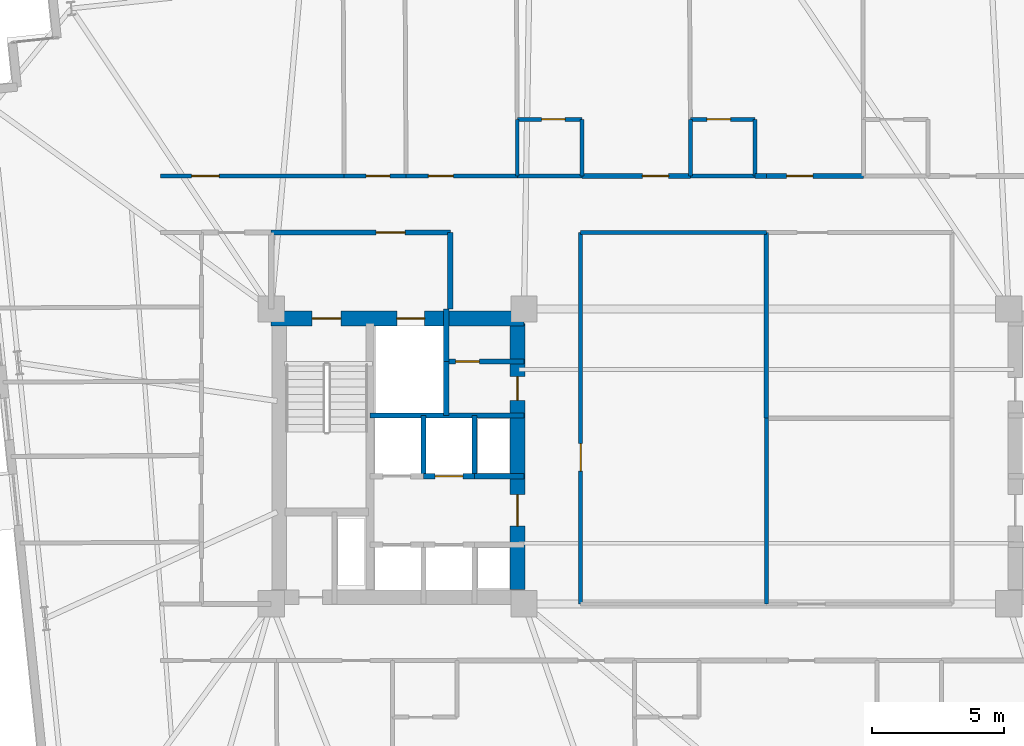
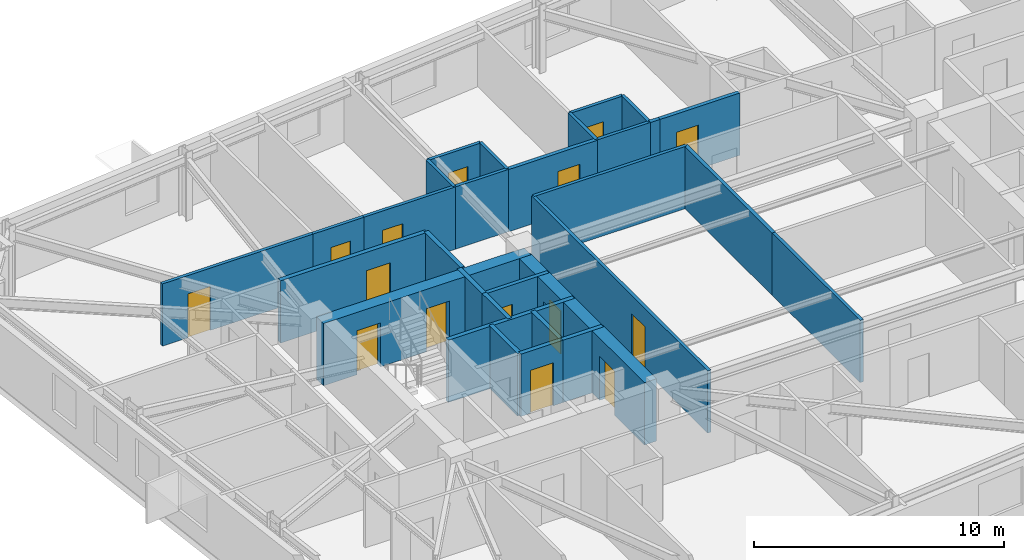
# One storey, part 13 of 19: 30 walls, 15 doors, 15 openings.
"""IFC4 building model written with IfcOpenShell, lengths in metres."""

from ifc_helpers import new_model, si_unit, direction, frame, frame_2d, origin, place, context, subcontext, project, spatial, rectangle, extrude, material, layer, layer_set, type_object, element, fill, save


model = new_model("IFC4")

# Units and contexts
model_context = context("Model", 3, precision=1e-05, world=origin(), true_north=direction((0.0, 1.0)))
body_context = subcontext(model_context, "Body", "Model", "MODEL_VIEW")
ifc_project = project(units=[si_unit("LENGTHUNIT", "METRE"), si_unit("AREAUNIT", "SQUARE_METRE"), si_unit("VOLUMEUNIT", "CUBIC_METRE"), si_unit("PLANEANGLEUNIT", "RADIAN"), si_unit("MASSUNIT", "GRAM", prefix="KILO")], contexts=[model_context])

# Site, building, storey
site_placement = place(None, origin())
site = spatial("IfcSite", under=ifc_project, at=site_placement, CompositionType="ELEMENT")
building_placement = place(site_placement, origin())
building = spatial("IfcBuilding", under=site, at=building_placement, Name="Qobustan Lattice House", CompositionType="ELEMENT")
storey_placement = place(building_placement, frame((0.0, 0.0, 85.699951171875)))
storey = spatial("IfcBuildingStorey", under=building, at=storey_placement, Name="L23", CompositionType="ELEMENT", Elevation=85.699951171875)

# Wall, openings, doors
ifc_material_1 = material(Name="Concrete C60/75", Category="concrete")
ifc_layer_1 = layer(ifc_material_1, 0.56005859375)
ifc_layer_set_1 = layer_set([ifc_layer_1], Name="Concrete C60/75")
wall_type_1 = type_object("IfcWallType", Name="WAL-CORE-600", PredefinedType="SHEAR", material=ifc_layer_set_1)
wall_1_placement = place(storey_placement, frame((-18.800048828125, 5.239990234375, 0.0), z_axis=(0.0, 0.0, 1.0), x_axis=(1.0, 0.0, 0.0)))
wall_1 = element("IfcWall", 1, at=wall_1_placement, inside=storey, type_object=wall_type_1, Name="L23 split-core shear wall CW-N", PredefinedType="SHEAR", context=body_context, shape_type="SweptSolid", body=[
    extrude(rectangle(XDim=9.60009765625, YDim=0.56005859375, at=frame_2d((4.800048828125, 0.0))), origin(), (0.0, 0.0, 1.0), 3.045166015625),
])
opening_1_placement = place(wall_1_placement, frame((1.550048828125, 0.0, 0.0)))
opening_1 = element("IfcOpeningElement", 2, at=opening_1_placement, cuts=wall_1, Name="Opening SD-01", PredefinedType="OPENING", context=body_context, shape_type="SweptSolid", body=[
    extrude(rectangle(XDim=1.10009765625, YDim=2.14990234375, at=frame_2d((0.550048828125, 1.074951171875))), frame((0.0, 0.2900390625, 0.0), z_axis=(0.0, -1.0, 0.0), x_axis=(1.0, 0.0, 0.0)), (0.0, 0.0, 1.0), 0.580078125),
])
opening_2_placement = place(wall_1_placement, frame((4.77490234375, 0.0, 0.0)))
opening_2 = element("IfcOpeningElement", 3, at=opening_2_placement, cuts=wall_1, Name="Opening LD-01", PredefinedType="OPENING", context=body_context, shape_type="SweptSolid", body=[
    extrude(rectangle(XDim=1.050048828125, YDim=2.10009765625, at=frame_2d((0.52490234375, 1.050048828125))), frame((0.0, 0.2900390625, 0.0), z_axis=(0.0, -1.0, 0.0), x_axis=(1.0, 0.0, 0.0)), (0.0, 0.0, 1.0), 0.580078125),
])
ifc_material_2 = material(Name="Persian walnut timber and steel frame door", Category="steel")
door_type_1 = type_object("IfcDoorType", Name="DOR-LIFT-LD-1050x2100", OperationType="NOTDEFINED", PredefinedType="DOOR", material=ifc_material_2)
door_1_placement = place(opening_2_placement, origin())
door_1 = element("IfcDoor", 4, at=door_1_placement, inside=storey, type_object=door_type_1, Name="L23 firefighting lift FF-W landing door", OperationType="DOUBLE_DOOR_SLIDING", OverallHeight=2.10009765625, OverallWidth=1.050048828125, PredefinedType="DOOR", context=body_context, shape_type="SweptSolid", body=[
    extrude(rectangle(XDim=1.050048828125, YDim=2.10009765625, at=frame_2d((0.52490234375, 1.050048828125))), frame((0.0, 0.02490234375, 0.0), z_axis=(0.0, -1.0, 0.0), x_axis=(1.0, 0.0, 0.0)), (0.0, 0.0, 1.0), 0.050048828125),
])
fill(opening_2, door_1)
ifc_material_3 = material(Name="Persian walnut timber and steel frame door", Category="steel")
door_type_2 = type_object("IfcDoorType", Name="DOR-STAIR-FD-1100x2150", OperationType="NOTDEFINED", PredefinedType="DOOR", material=ifc_material_3)
door_2_placement = place(opening_1_placement, origin())
door_2 = element("IfcDoor", 5, at=door_2_placement, inside=storey, type_object=door_type_2, Name="L23 exit stair ST-W1 fire door", OperationType="SINGLE_SWING_LEFT", OverallHeight=2.14990234375, OverallWidth=1.10009765625, PredefinedType="DOOR", context=body_context, shape_type="SweptSolid", body=[
    extrude(rectangle(XDim=1.10009765625, YDim=2.14990234375, at=frame_2d((0.550048828125, 1.074951171875))), frame((0.0, 0.02490234375, 0.0), z_axis=(0.0, -1.0, 0.0), x_axis=(1.0, 0.0, 0.0)), (0.0, 0.0, 1.0), 0.050048828125),
])
fill(opening_1, door_2)

wall_2_placement = place(storey_placement, frame((-9.449951171875, -5.050048828125, 0.0), z_axis=(0.0, 0.0, 1.0), x_axis=(0.0, 1.0, 0.0)))
wall_2 = element("IfcWall", 6, at=wall_2_placement, inside=storey, type_object=wall_type_1, Name="L23 split-core shear wall CW-E", PredefinedType="SHEAR", context=body_context, shape_type="SweptSolid", body=[
    extrude(rectangle(XDim=10.10009765625, YDim=0.56005859375, at=frame_2d((5.050048828125, 0.0))), origin(), (0.0, 0.0, 1.0), 3.045166015625),
])
opening_3_placement = place(wall_2_placement, frame((7.175048828125, 0.0, 0.0)))
opening_3 = element("IfcOpeningElement", 7, at=opening_3_placement, cuts=wall_2, Name="Opening RD-01", PredefinedType="OPENING", context=body_context, shape_type="SweptSolid", body=[
    extrude(rectangle(XDim=0.89990234375, YDim=2.10009765625, at=frame_2d((0.449951171875, 1.050048828125))), frame((0.0, 0.2900390625, 0.0), z_axis=(0.0, -1.0, 0.0), x_axis=(1.0, 0.0, 0.0)), (0.0, 0.0, 1.0), 0.580078125),
])
opening_4_placement = place(wall_2_placement, frame((2.39990234375, 0.0, 0.0)))
opening_4 = element("IfcOpeningElement", 8, at=opening_4_placement, cuts=wall_2, Name="Opening FD-01", PredefinedType="OPENING", context=body_context, shape_type="SweptSolid", body=[
    extrude(rectangle(XDim=1.199951171875, YDim=2.14990234375, at=frame_2d((0.60009765625, 1.074951171875))), frame((0.0, 0.2900390625, 0.0), z_axis=(0.0, -1.0, 0.0), x_axis=(1.0, 0.0, 0.0)), (0.0, 0.0, 1.0), 0.580078125),
])
ifc_material_4 = material(Name="Persian walnut timber and steel frame door", Category="steel")
door_type_3 = type_object("IfcDoorType", Name="DOR-LOBBY-FD-1200x2150", OperationType="NOTDEFINED", PredefinedType="DOOR", material=ifc_material_4)
door_3_placement = place(opening_4_placement, origin())
door_3 = element("IfcDoor", 9, at=door_3_placement, inside=storey, type_object=door_type_3, Name="L23 West passenger lift lobby fire door", OperationType="SINGLE_SWING_RIGHT", OverallHeight=2.14990234375, OverallWidth=1.199951171875, PredefinedType="DOOR", context=body_context, shape_type="SweptSolid", body=[
    extrude(rectangle(XDim=1.199951171875, YDim=2.14990234375, at=frame_2d((0.60009765625, 1.074951171875))), frame((0.0, 0.02490234375, 0.0), z_axis=(0.0, -1.0, 0.0), x_axis=(1.0, 0.0, 0.0)), (0.0, 0.0, 1.0), 0.050048828125),
])
fill(opening_4, door_3)
ifc_material_5 = material(Name="Persian walnut timber and steel frame door", Category="steel")
door_type_4 = type_object("IfcDoorType", Name="DOR-RISER-FD-900x2100", OperationType="NOTDEFINED", PredefinedType="DOOR", material=ifc_material_5)
door_4_placement = place(opening_3_placement, origin())
door_4 = element("IfcDoor", 10, at=door_4_placement, inside=storey, type_object=door_type_4, Name="L23 Core utility lobby fire door", OperationType="SINGLE_SWING_LEFT", OverallHeight=2.10009765625, OverallWidth=0.89990234375, PredefinedType="DOOR", context=body_context, shape_type="SweptSolid", body=[
    extrude(rectangle(XDim=0.89990234375, YDim=2.10009765625, at=frame_2d((0.449951171875, 1.050048828125))), frame((0.0, 0.02490234375, 0.0), z_axis=(0.0, -1.0, 0.0), x_axis=(1.0, 0.0, 0.0)), (0.0, 0.0, 1.0), 0.050048828125),
])
fill(opening_3, door_4)

# Wall, opening, door
ifc_material_6 = material(Name="Gypsum fireboard acoustic partition", Category="gypsum")
ifc_layer_2 = layer(ifc_material_6, 0.179931640625)
ifc_layer_set_2 = layer_set([ifc_layer_2], Name="Gypsum fireboard acoustic partition")
wall_type_2 = type_object("IfcWallType", Name="WAL-FIRE-180", PredefinedType="PARTITIONING", material=ifc_layer_set_2)
wall_3_placement = place(storey_placement, frame((-9.199951171875, 3.60009765625, 0.0), z_axis=(0.0, 0.0, 1.0), x_axis=(-1.0, 0.0, 0.0)))
wall_3 = element("IfcWall", 11, at=wall_3_placement, inside=storey, type_object=wall_type_2, Name="L23 interior partition 7", PredefinedType="PARTITIONING", context=body_context, shape_type="SweptSolid", body=[
    extrude(rectangle(XDim=2.949951171875, YDim=0.179931640625, at=frame_2d((1.47509765625, 0.0))), origin(), (0.0, 0.0, 1.0), 3.045166015625),
])
opening_5_placement = place(wall_3_placement, frame((1.699951171875, 0.0, 0.0)))
opening_5 = element("IfcOpeningElement", 12, at=opening_5_placement, cuts=wall_3, Name="Opening RD-01", PredefinedType="OPENING", context=body_context, shape_type="SweptSolid", body=[
    extrude(rectangle(XDim=0.89990234375, YDim=2.10009765625, at=frame_2d((0.449951171875, 1.050048828125))), frame((0.0, 0.099853515625, 0.0), z_axis=(0.0, -1.0, 0.0), x_axis=(1.0, 0.0, 0.0)), (0.0, 0.0, 1.0), 0.199951171875),
])
door_5_placement = place(opening_5_placement, origin())
door_5 = element("IfcDoor", 13, at=door_5_placement, inside=storey, type_object=door_type_4, Name="L23 Core utility lobby to Cleaner store door", OperationType="SINGLE_SWING_RIGHT", OverallHeight=2.10009765625, OverallWidth=0.89990234375, PredefinedType="DOOR", context=body_context, shape_type="SweptSolid", body=[
    extrude(rectangle(XDim=0.89990234375, YDim=2.10009765625, at=frame_2d((0.449951171875, 1.050048828125))), frame((0.0, 0.02490234375, 0.0), z_axis=(0.0, -1.0, 0.0), x_axis=(1.0, 0.0, 0.0)), (0.0, 0.0, 1.0), 0.050048828125),
])
fill(opening_5, door_5)

wall_4_placement = place(storey_placement, frame((-7.007080078125, 10.64990234375, 0.0), z_axis=(0.0, 0.0, 1.0), x_axis=(1.0, 0.0, 0.0)))
wall_4 = element("IfcWall", 14, at=wall_4_placement, inside=storey, type_object=wall_type_2, Name="L23 interior partition 42", PredefinedType="PARTITIONING", context=body_context, shape_type="SweptSolid", body=[
    extrude(rectangle(XDim=4.12109375, YDim=0.179931640625, at=frame_2d((2.060546875, 0.0))), origin(), (0.0, 0.0, 1.0), 3.045166015625),
])
opening_6_placement = place(wall_4_placement, frame((2.2958984375, 0.0, 0.0)))
opening_6 = element("IfcOpeningElement", 15, at=opening_6_placement, cuts=wall_4, Name="Opening FD-02", PredefinedType="OPENING", context=body_context, shape_type="SweptSolid", body=[
    extrude(rectangle(XDim=1.0, YDim=2.14990234375, at=frame_2d((0.5, 1.074951171875))), frame((0.0, 0.099853515625, 0.0), z_axis=(0.0, -1.0, 0.0), x_axis=(1.0, 0.0, 0.0)), (0.0, 0.0, 1.0), 0.199951171875),
])
ifc_material_7 = material(Name="Persian walnut timber and steel frame door", Category="steel")
door_type_5 = type_object("IfcDoorType", Name="DOR-UNIT-FD-1000x2150", OperationType="NOTDEFINED", PredefinedType="DOOR", material=ifc_material_7)
door_6_placement = place(opening_6_placement, origin())
door_6 = element("IfcDoor", 16, at=door_6_placement, inside=storey, type_object=door_type_5, Name="L23 North-west floor corridor to Kitchenette and studio apartment L23-N3 door", OperationType="SINGLE_SWING_RIGHT", OverallHeight=2.14990234375, OverallWidth=1.0, PredefinedType="DOOR", context=body_context, shape_type="SweptSolid", body=[
    extrude(rectangle(XDim=1.0, YDim=2.14990234375, at=frame_2d((0.5, 1.074951171875))), frame((0.0, 0.02490234375, 0.0), z_axis=(0.0, -1.0, 0.0), x_axis=(1.0, 0.0, 0.0)), (0.0, 0.0, 1.0), 0.050048828125),
])
fill(opening_6, door_6)

# Wall
wall_5_placement = place(storey_placement, frame((-0.43603515625, 10.64990234375, 0.0), z_axis=(0.0, 0.0, 1.0), x_axis=(1.0, 0.0, 0.0)))
element("IfcWall", 17, at=wall_5_placement, inside=storey, type_object=wall_type_2, Name="L23 interior partition 44", PredefinedType="PARTITIONING", context=body_context, shape_type="SweptSolid", body=[
    extrude(rectangle(XDim=0.43603515625, YDim=0.179931640625, at=frame_2d((0.218017578125, 0.0))), origin(), (0.0, 0.0, 1.0), 3.045166015625),
])

# Wall, opening, door
wall_6_placement = place(storey_placement, frame((0.0, 10.64990234375, 0.0), z_axis=(0.0, 0.0, 1.0), x_axis=(1.0, 0.0, 0.0)))
wall_6 = element("IfcWall", 18, at=wall_6_placement, inside=storey, type_object=wall_type_2, Name="L23 interior partition 49", PredefinedType="PARTITIONING", context=body_context, shape_type="SweptSolid", body=[
    extrude(rectangle(XDim=3.68603515625, YDim=0.179931640625, at=frame_2d((1.843017578125, 0.0))), origin(), (0.0, 0.0, 1.0), 3.045166015625),
])
opening_7_placement = place(wall_6_placement, frame((0.770751953125, 0.0, 0.0)))
opening_7 = element("IfcOpeningElement", 19, at=opening_7_placement, cuts=wall_6, Name="Opening FD-02", PredefinedType="OPENING", context=body_context, shape_type="SweptSolid", body=[
    extrude(rectangle(XDim=1.0, YDim=2.14990234375, at=frame_2d((0.5, 1.074951171875))), frame((0.0, 0.099853515625, 0.0), z_axis=(0.0, -1.0, 0.0), x_axis=(1.0, 0.0, 0.0)), (0.0, 0.0, 1.0), 0.199951171875),
])
door_7_placement = place(opening_7_placement, origin())
door_7 = element("IfcDoor", 20, at=door_7_placement, inside=storey, type_object=door_type_5, Name="L23 North-east floor corridor to Kitchenette and studio apartment L23-N4 door", OperationType="SINGLE_SWING_RIGHT", OverallHeight=2.14990234375, OverallWidth=1.0, PredefinedType="DOOR", context=body_context, shape_type="SweptSolid", body=[
    extrude(rectangle(XDim=1.0, YDim=2.14990234375, at=frame_2d((0.5, 1.074951171875))), frame((0.0, 0.02490234375, 0.0), z_axis=(0.0, -1.0, 0.0), x_axis=(1.0, 0.0, 0.0)), (0.0, 0.0, 1.0), 0.050048828125),
])
fill(opening_7, door_7)

ifc_material_8 = material(Name="Acoustic twin-stud gypsum partition", Category="gypsum")
ifc_layer_3 = layer(ifc_material_8, 0.14990234375)
ifc_layer_set_3 = layer_set([ifc_layer_3], Name="Acoustic twin-stud gypsum partition")
wall_type_3 = type_object("IfcWallType", Name="WAL-PART-150", PredefinedType="PARTITIONING", material=ifc_layer_set_3)
wall_7_placement = place(storey_placement, frame((-23.0, 10.64990234375, 0.0), z_axis=(0.0, 0.0, 1.0), x_axis=(1.0, 0.0, 0.0)))
wall_7 = element("IfcWall", 21, at=wall_7_placement, inside=storey, type_object=wall_type_3, Name="L23 interior partition 39", PredefinedType="PARTITIONING", context=body_context, shape_type="SweptSolid", body=[
    extrude(rectangle(XDim=6.970947265625, YDim=0.14990234375, at=frame_2d((3.4853515625, 0.0))), origin(), (0.0, 0.0, 1.0), 3.045166015625),
])
opening_8_placement = place(wall_7_placement, frame((1.175048828125, 0.0, 0.0)))
opening_8 = element("IfcOpeningElement", 22, at=opening_8_placement, cuts=wall_7, Name="Opening ID-02", PredefinedType="OPENING", context=body_context, shape_type="SweptSolid", body=[
    extrude(rectangle(XDim=1.050048828125, YDim=2.14990234375, at=frame_2d((0.52490234375, 1.074951171875))), frame((0.0, 0.0849609375, 0.0), z_axis=(0.0, -1.0, 0.0), x_axis=(1.0, 0.0, 0.0)), (0.0, 0.0, 1.0), 0.169921875),
])
ifc_material_9 = material(Name="Persian walnut timber and steel frame door", Category="steel")
door_type_6 = type_object("IfcDoorType", Name="DOR-STUDY-1050x2150", OperationType="NOTDEFINED", PredefinedType="DOOR", material=ifc_material_9)
door_8_placement = place(opening_8_placement, origin())
door_8 = element("IfcDoor", 23, at=door_8_placement, inside=storey, type_object=door_type_6, Name="L23 North-west floor corridor to Focus study room N1 door", OperationType="SINGLE_SWING_LEFT", OverallHeight=2.14990234375, OverallWidth=1.050048828125, PredefinedType="DOOR", context=body_context, shape_type="SweptSolid", body=[
    extrude(rectangle(XDim=1.050048828125, YDim=2.14990234375, at=frame_2d((0.52490234375, 1.074951171875))), frame((0.0, 0.02490234375, 0.0), z_axis=(0.0, -1.0, 0.0), x_axis=(1.0, 0.0, 0.0)), (0.0, 0.0, 1.0), 0.050048828125),
])
fill(opening_8, door_8)

wall_8_placement = place(storey_placement, frame((-13.678955078125, 10.64990234375, 0.0), z_axis=(0.0, 0.0, 1.0), x_axis=(1.0, 0.0, 0.0)))
wall_8 = element("IfcWall", 24, at=wall_8_placement, inside=storey, type_object=wall_type_3, Name="L23 interior partition 41", PredefinedType="PARTITIONING", context=body_context, shape_type="SweptSolid", body=[
    extrude(rectangle(XDim=4.221923828125, YDim=0.14990234375, at=frame_2d((2.11083984375, 0.0))), origin(), (0.0, 0.0, 1.0), 3.045166015625),
])
opening_9_placement = place(wall_8_placement, frame((0.843994140625, 0.0, 0.0)))
opening_9 = element("IfcOpeningElement", 25, at=opening_9_placement, cuts=wall_8, Name="Opening ID-01", PredefinedType="OPENING", context=body_context, shape_type="SweptSolid", body=[
    extrude(rectangle(XDim=0.949951171875, YDim=2.10009765625, at=frame_2d((0.47509765625, 1.050048828125))), frame((0.0, 0.0849609375, 0.0), z_axis=(0.0, -1.0, 0.0), x_axis=(1.0, 0.0, 0.0)), (0.0, 0.0, 1.0), 0.169921875),
])
ifc_material_10 = material(Name="Persian walnut timber and steel frame door", Category="steel")
door_type_7 = type_object("IfcDoorType", Name="DOR-ROOM-950x2100", OperationType="NOTDEFINED", PredefinedType="DOOR", material=ifc_material_10)
door_9_placement = place(opening_9_placement, origin())
door_9 = element("IfcDoor", 26, at=door_9_placement, inside=storey, type_object=door_type_7, Name="L23 North-west floor corridor to Laundry utility room door", OperationType="SINGLE_SWING_LEFT", OverallHeight=2.10009765625, OverallWidth=0.949951171875, PredefinedType="DOOR", context=body_context, shape_type="SweptSolid", body=[
    extrude(rectangle(XDim=0.949951171875, YDim=2.10009765625, at=frame_2d((0.47509765625, 1.050048828125))), frame((0.0, 0.02490234375, 0.0), z_axis=(0.0, -1.0, 0.0), x_axis=(1.0, 0.0, 0.0)), (0.0, 0.0, 1.0), 0.050048828125),
])
fill(opening_9, door_9)

# Wall
wall_9_placement = place(storey_placement, frame((0.0, 8.5, 0.0), z_axis=(0.0, 0.0, 1.0), x_axis=(-1.0, 0.0, 0.0)))
element("IfcWall", 27, at=wall_9_placement, inside=storey, type_object=wall_type_3, Name="L23 interior partition 46", PredefinedType="PARTITIONING", context=body_context, shape_type="SweptSolid", body=[
    extrude(rectangle(XDim=7.050048828125, YDim=0.14990234375, at=frame_2d((3.52490234375, 0.0))), origin(), (0.0, 0.0, 1.0), 3.045166015625),
])

# Wall, opening, door
wall_10_placement = place(storey_placement, frame((-7.050048828125, 8.5, 0.0), z_axis=(0.0, 0.0, 1.0), x_axis=(0.0, -1.0, 0.0)))
wall_10 = element("IfcWall", 28, at=wall_10_placement, inside=storey, type_object=wall_type_3, Name="L23 interior partition 72", PredefinedType="PARTITIONING", context=body_context, shape_type="SweptSolid", body=[
    extrude(rectangle(XDim=14.10009765625, YDim=0.14990234375, at=frame_2d((7.050048828125, 0.0))), origin(), (0.0, 0.0, 1.0), 3.045166015625),
])
opening_10_placement = place(wall_10_placement, frame((8.01123046875, 0.0, 0.0)))
opening_10 = element("IfcOpeningElement", 29, at=opening_10_placement, cuts=wall_10, Name="Opening ID-02", PredefinedType="OPENING", context=body_context, shape_type="SweptSolid", body=[
    extrude(rectangle(XDim=1.050048828125, YDim=2.14990234375, at=frame_2d((0.52490234375, 1.074951171875))), frame((0.0, 0.0849609375, 0.0), z_axis=(0.0, -1.0, 0.0), x_axis=(1.0, 0.0, 0.0)), (0.0, 0.0, 1.0), 0.169921875),
])
door_10_placement = place(opening_10_placement, origin())
door_10 = element("IfcDoor", 30, at=door_10_placement, inside=storey, type_object=door_type_6, Name="L23 West floor link corridor to Central silent study room door", OperationType="SINGLE_SWING_RIGHT", OverallHeight=2.14990234375, OverallWidth=1.050048828125, PredefinedType="DOOR", context=body_context, shape_type="SweptSolid", body=[
    extrude(rectangle(XDim=1.050048828125, YDim=2.14990234375, at=frame_2d((0.52490234375, 1.074951171875))), frame((0.0, 0.02490234375, 0.0), z_axis=(0.0, -1.0, 0.0), x_axis=(1.0, 0.0, 0.0)), (0.0, 0.0, 1.0), 0.050048828125),
])
fill(opening_10, door_10)

# Walls
wall_11_placement = place(storey_placement, frame((0.0, 1.449951171875, 0.0), z_axis=(0.0, 0.0, 1.0), x_axis=(0.0, -1.0, 0.0)))
element("IfcWall", 31, at=wall_11_placement, inside=storey, type_object=wall_type_3, Name="L23 interior partition 129", PredefinedType="PARTITIONING", context=body_context, shape_type="SweptSolid", body=[
    extrude(rectangle(XDim=7.050048828125, YDim=0.14990234375, at=frame_2d((3.52490234375, 0.0))), origin(), (0.0, 0.0, 1.0), 3.045166015625),
])
ifc_material_11 = material(Name="High-mass acoustic twin-stud partition", Category="gypsum")
ifc_layer_4 = layer(ifc_material_11, 0.1650390625)
ifc_layer_set_4 = layer_set([ifc_layer_4], Name="High-mass acoustic twin-stud partition")
wall_type_4 = type_object("IfcWallType", Name="WAL-PART-165", PredefinedType="PARTITIONING", material=ifc_layer_set_4)
wall_12_placement = place(storey_placement, frame((0.0, 8.5, 0.0), z_axis=(0.0, 0.0, 1.0), x_axis=(0.0, -1.0, 0.0)))
element("IfcWall", 32, at=wall_12_placement, inside=storey, type_object=wall_type_4, Name="L23 interior partition 130", PredefinedType="PARTITIONING", context=body_context, shape_type="SweptSolid", body=[
    extrude(rectangle(XDim=7.050048828125, YDim=0.1650390625, at=frame_2d((3.52490234375, 0.0))), origin(), (0.0, 0.0, 1.0), 3.045166015625),
])

# Wall, opening, door
ifc_material_12 = material(Name="Two-hour gypsum fireboard acoustic partition", Category="gypsum")
ifc_layer_5 = layer(ifc_material_12, 0.199951171875)
ifc_layer_set_5 = layer_set([ifc_layer_5], Name="Two-hour gypsum fireboard acoustic partition")
wall_type_5 = type_object("IfcWallType", Name="WAL-PROT-200", PredefinedType="PARTITIONING", material=ifc_layer_set_5)
wall_13_placement = place(storey_placement, frame((-12.0, 8.5, 0.0), z_axis=(0.0, 0.0, 1.0), x_axis=(-1.0, 0.0, 0.0)))
wall_13 = element("IfcWall", 33, at=wall_13_placement, inside=storey, type_object=wall_type_5, Name="L23 interior partition 4", PredefinedType="PARTITIONING", context=body_context, shape_type="SweptSolid", body=[
    extrude(rectangle(XDim=6.800048828125, YDim=0.199951171875, at=frame_2d((3.39990234375, 0.0))), origin(), (0.0, 0.0, 1.0), 3.045166015625),
])
opening_11_placement = place(wall_13_placement, frame((1.715087890625, 0.0, 0.0)))
opening_11 = element("IfcOpeningElement", 34, at=opening_11_placement, cuts=wall_13, Name="Opening SD-01", PredefinedType="OPENING", context=body_context, shape_type="SweptSolid", body=[
    extrude(rectangle(XDim=1.10009765625, YDim=2.14990234375, at=frame_2d((0.550048828125, 1.074951171875))), frame((0.0, 0.10986328125, 0.0), z_axis=(0.0, -1.0, 0.0), x_axis=(1.0, 0.0, 0.0)), (0.0, 0.0, 1.0), 0.219970703125),
])
door_11_placement = place(opening_11_placement, origin())
door_11 = element("IfcDoor", 35, at=door_11_placement, inside=storey, type_object=door_type_2, Name="L23 West firefighting lift lobby to North-west floor corridor door", OperationType="SINGLE_SWING_LEFT", OverallHeight=2.14990234375, OverallWidth=1.10009765625, PredefinedType="DOOR", context=body_context, shape_type="SweptSolid", body=[
    extrude(rectangle(XDim=1.10009765625, YDim=2.14990234375, at=frame_2d((0.550048828125, 1.074951171875))), frame((0.0, 0.02490234375, 0.0), z_axis=(0.0, -1.0, 0.0), x_axis=(1.0, 0.0, 0.0)), (0.0, 0.0, 1.0), 0.050048828125),
])
fill(opening_11, door_11)

# Walls
wall_14_placement = place(storey_placement, frame((-12.0, 5.60009765625, 0.0), z_axis=(0.0, 0.0, 1.0), x_axis=(0.0, 1.0, 0.0)))
element("IfcWall", 36, at=wall_14_placement, inside=storey, type_object=wall_type_5, Name="L23 interior partition 5", PredefinedType="PARTITIONING", context=body_context, shape_type="SweptSolid", body=[
    extrude(rectangle(XDim=2.89990234375, YDim=0.199951171875, at=frame_2d((1.449951171875, 0.0))), origin(), (0.0, 0.0, 1.0), 3.045166015625),
])
ifc_material_13 = material(Name="Concrete C40/50", Category="concrete")
ifc_layer_6 = layer(ifc_material_13, 0.199951171875)
ifc_layer_set_6 = layer_set([ifc_layer_6], Name="Concrete C40/50")
wall_type_6 = type_object("IfcWallType", Name="WAL-SHAFT-200", PredefinedType="PARTITIONING", material=ifc_layer_set_6)
wall_15_placement = place(storey_placement, frame((-12.14990234375, 1.550048828125, 0.0), z_axis=(0.0, 0.0, 1.0), x_axis=(0.0, 1.0, 0.0)))
element("IfcWall", 37, at=wall_15_placement, inside=storey, type_object=wall_type_6, Name="L23 interior partition 2", PredefinedType="PARTITIONING", context=body_context, shape_type="SweptSolid", body=[
    extrude(rectangle(XDim=2.050048828125, YDim=0.199951171875, at=frame_2d((1.02490234375, 0.0))), origin(), (0.0, 0.0, 1.0), 3.045166015625),
])
wall_16_placement = place(storey_placement, frame((-12.14990234375, 3.60009765625, 0.0), z_axis=(0.0, 0.0, 1.0), x_axis=(0.0, 1.0, 0.0)))
element("IfcWall", 38, at=wall_16_placement, inside=storey, type_object=wall_type_6, Name="L23 interior partition 3", PredefinedType="PARTITIONING", context=body_context, shape_type="SweptSolid", body=[
    extrude(rectangle(XDim=2.0, YDim=0.199951171875, at=frame_2d((1.0, 0.0))), origin(), (0.0, 0.0, 1.0), 3.045166015625),
])

# Wall, opening, door
wall_17_placement = place(storey_placement, frame((-11.080078125, -0.75, 0.0), z_axis=(0.0, 0.0, 1.0), x_axis=(-1.0, 0.0, 0.0)))
wall_17 = element("IfcWall", 39, at=wall_17_placement, inside=storey, type_object=wall_type_6, Name="L23 interior partition 13", PredefinedType="PARTITIONING", context=body_context, shape_type="SweptSolid", body=[
    extrude(rectangle(XDim=1.93994140625, YDim=0.199951171875, at=frame_2d((0.969970703125, 0.0))), origin(), (0.0, 0.0, 1.0), 3.045166015625),
])
opening_12_placement = place(wall_17_placement, frame((0.445068359375, 0.0, 0.0)))
opening_12 = element("IfcOpeningElement", 40, at=opening_12_placement, cuts=wall_17, Name="Opening LD-01", PredefinedType="OPENING", context=body_context, shape_type="SweptSolid", body=[
    extrude(rectangle(XDim=1.050048828125, YDim=2.10009765625, at=frame_2d((0.52490234375, 1.050048828125))), frame((0.0, 0.10986328125, 0.0), z_axis=(0.0, -1.0, 0.0), x_axis=(1.0, 0.0, 0.0)), (0.0, 0.0, 1.0), 0.219970703125),
])
door_12_placement = place(opening_12_placement, origin())
door_12 = element("IfcDoor", 41, at=door_12_placement, inside=storey, type_object=door_type_1, Name="L23 lift landing door", OperationType="DOUBLE_DOOR_SLIDING", OverallHeight=2.10009765625, OverallWidth=1.050048828125, PredefinedType="DOOR", context=body_context, shape_type="SweptSolid", body=[
    extrude(rectangle(XDim=1.050048828125, YDim=2.10009765625, at=frame_2d((0.52490234375, 1.050048828125))), frame((0.0, 0.02490234375, 0.0), z_axis=(0.0, -1.0, 0.0), x_axis=(1.0, 0.0, 0.0)), (0.0, 0.0, 1.0), 0.050048828125),
])
fill(opening_12, door_12)

# Walls
wall_18_placement = place(storey_placement, frame((-9.199951171875, -0.75, 0.0), z_axis=(0.0, 0.0, 1.0), x_axis=(-1.0, 0.0, 0.0)))
element("IfcWall", 42, at=wall_18_placement, inside=storey, type_object=wall_type_6, Name="L23 interior partition 14", PredefinedType="PARTITIONING", context=body_context, shape_type="SweptSolid", body=[
    extrude(rectangle(XDim=1.880126953125, YDim=0.199951171875, at=frame_2d((0.93994140625, 0.0))), origin(), (0.0, 0.0, 1.0), 3.045166015625),
])
for number, where, z_axis, x_axis, name in (
    (43, (-13.02001953125, -0.75, 0.0), (0.0, 0.0, 1.0), (0.0, 1.0, 0.0), "L23 interior partition 18"),
    (44, (-11.080078125, -0.75, 0.0), (0.0, 0.0, 1.0), (0.0, 1.0, 0.0), "L23 interior partition 19"),
):
    element("IfcWall", number, at=place(storey_placement, frame(where, z_axis=z_axis, x_axis=x_axis)), inside=storey, type_object=wall_type_6, Name=name, PredefinedType="PARTITIONING", context=body_context, shape_type="SweptSolid", body=[
        extrude(rectangle(XDim=2.300048828125, YDim=0.199951171875, at=frame_2d((1.14990234375, 0.0))), origin(), (0.0, 0.0, 1.0), 3.045166015625),
    ])
wall_19_placement = place(storey_placement, frame((-15.050048828125, 1.550048828125, 0.0), z_axis=(0.0, 0.0, 1.0), x_axis=(1.0, 0.0, 0.0)))
element("IfcWall", 45, at=wall_19_placement, inside=storey, type_object=wall_type_6, Name="L23 interior partition 132", PredefinedType="PARTITIONING", context=body_context, shape_type="SweptSolid", body=[
    extrude(rectangle(XDim=5.85009765625, YDim=0.199951171875, at=frame_2d((2.925048828125, 0.0))), origin(), (0.0, 0.0, 1.0), 3.045166015625),
])

# Wall, opening, door
ifc_material_14 = material(Name="Moisture-resistant acoustic plumbing wall", Category="gypsum")
ifc_layer_7 = layer(ifc_material_14, 0.14990234375)
ifc_layer_set_7 = layer_set([ifc_layer_7], Name="Moisture-resistant acoustic plumbing wall")
wall_type_7 = type_object("IfcWallType", Name="WAL-WET-150", PredefinedType="PLUMBINGWALL", material=ifc_layer_set_7)
wall_20_placement = place(storey_placement, frame((-16.029052734375, 10.64990234375, 0.0), z_axis=(0.0, 0.0, 1.0), x_axis=(1.0, 0.0, 0.0)))
wall_20 = element("IfcWall", 46, at=wall_20_placement, inside=storey, type_object=wall_type_7, Name="L23 interior partition 40", PredefinedType="PLUMBINGWALL", context=body_context, shape_type="SweptSolid", body=[
    extrude(rectangle(XDim=2.35009765625, YDim=0.14990234375, at=frame_2d((1.175048828125, 0.0))), origin(), (0.0, 0.0, 1.0), 3.045166015625),
])
opening_13_placement = place(wall_20_placement, frame((0.833740234375, 0.0, 0.0)))
opening_13 = element("IfcOpeningElement", 47, at=opening_13_placement, cuts=wall_20, Name="Opening WD-01", PredefinedType="OPENING", context=body_context, shape_type="SweptSolid", body=[
    extrude(rectangle(XDim=0.89990234375, YDim=2.10009765625, at=frame_2d((0.449951171875, 1.050048828125))), frame((0.0, 0.0849609375, 0.0), z_axis=(0.0, -1.0, 0.0), x_axis=(1.0, 0.0, 0.0)), (0.0, 0.0, 1.0), 0.169921875),
])
ifc_material_15 = material(Name="Persian walnut timber and steel frame door", Category="steel")
door_type_8 = type_object("IfcDoorType", Name="DOR-WET-900x2100", OperationType="NOTDEFINED", PredefinedType="DOOR", material=ifc_material_15)
door_13_placement = place(opening_13_placement, origin())
door_13 = element("IfcDoor", 48, at=door_13_placement, inside=storey, type_object=door_type_8, Name="L23 North-west floor corridor to Accessible WC door", OperationType="SINGLE_SWING_RIGHT", OverallHeight=2.10009765625, OverallWidth=0.89990234375, PredefinedType="DOOR", context=body_context, shape_type="SweptSolid", body=[
    extrude(rectangle(XDim=0.89990234375, YDim=2.10009765625, at=frame_2d((0.449951171875, 1.050048828125))), frame((0.0, 0.02490234375, 0.0), z_axis=(0.0, -1.0, 0.0), x_axis=(1.0, 0.0, 0.0)), (0.0, 0.0, 1.0), 0.050048828125),
])
fill(opening_13, door_13)

# Walls
for number, where, z_axis, x_axis, name in (
    (49, (-9.45703125, 10.64990234375, 0.0), (0.0, 0.0, 1.0), (1.0, 0.0, 0.0), "L23 interior partition 43"),
    (50, (-2.885986328125, 10.64990234375, 0.0), (0.0, 0.0, 1.0), (1.0, 0.0, 0.0), "L23 interior partition 45"),
):
    element("IfcWall", number, at=place(storey_placement, frame(where, z_axis=z_axis, x_axis=x_axis)), inside=storey, type_object=wall_type_7, Name=name, PredefinedType="PLUMBINGWALL", context=body_context, shape_type="SweptSolid", body=[
        extrude(rectangle(XDim=2.449951171875, YDim=0.14990234375, at=frame_2d((1.22509765625, 0.0))), origin(), (0.0, 0.0, 1.0), 3.045166015625),
    ])
wall_21_placement = place(storey_placement, frame((-9.45703125, 12.800048828125, 0.0), z_axis=(0.0, 0.0, 1.0), x_axis=(0.0, -1.0, 0.0)))
element("IfcWall", 51, at=wall_21_placement, inside=storey, type_object=wall_type_7, Name="L23 interior partition 99", PredefinedType="PLUMBINGWALL", context=body_context, shape_type="SweptSolid", body=[
    extrude(rectangle(XDim=2.150146484375, YDim=0.14990234375, at=frame_2d((1.0751953125, 0.0))), origin(), (0.0, 0.0, 1.0), 3.045166015625),
])

# Wall, opening, door
wall_22_placement = place(storey_placement, frame((-7.007080078125, 12.800048828125, 0.0), z_axis=(0.0, 0.0, 1.0), x_axis=(-1.0, 0.0, 0.0)))
wall_22 = element("IfcWall", 52, at=wall_22_placement, inside=storey, type_object=wall_type_7, Name="L23 interior partition 100", PredefinedType="PLUMBINGWALL", context=body_context, shape_type="SweptSolid", body=[
    extrude(rectangle(XDim=2.449951171875, YDim=0.14990234375, at=frame_2d((1.22509765625, 0.0))), origin(), (0.0, 0.0, 1.0), 3.045166015625),
])
opening_14_placement = place(wall_22_placement, frame((0.62890625, 0.0, 0.0)))
opening_14 = element("IfcOpeningElement", 53, at=opening_14_placement, cuts=wall_22, Name="Opening WD-01", PredefinedType="OPENING", context=body_context, shape_type="SweptSolid", body=[
    extrude(rectangle(XDim=0.89990234375, YDim=2.10009765625, at=frame_2d((0.449951171875, 1.050048828125))), frame((0.0, 0.0849609375, 0.0), z_axis=(0.0, -1.0, 0.0), x_axis=(1.0, 0.0, 0.0)), (0.0, 0.0, 1.0), 0.169921875),
])
door_14_placement = place(opening_14_placement, origin())
door_14 = element("IfcDoor", 54, at=door_14_placement, inside=storey, type_object=door_type_8, Name="L23 Kitchenette and studio apartment L23-N3 to En-suite bathroom L23-N3 door", OperationType="SINGLE_SWING_RIGHT", OverallHeight=2.10009765625, OverallWidth=0.89990234375, PredefinedType="DOOR", context=body_context, shape_type="SweptSolid", body=[
    extrude(rectangle(XDim=0.89990234375, YDim=2.10009765625, at=frame_2d((0.449951171875, 1.050048828125))), frame((0.0, 0.02490234375, 0.0), z_axis=(0.0, -1.0, 0.0), x_axis=(1.0, 0.0, 0.0)), (0.0, 0.0, 1.0), 0.050048828125),
])
fill(opening_14, door_14)

# Walls
for number, where, z_axis, x_axis, name in (
    (55, (-7.007080078125, 10.64990234375, 0.0), (0.0, 0.0, 1.0), (0.0, 1.0, 0.0), "L23 interior partition 101"),
    (56, (-2.885986328125, 12.800048828125, 0.0), (0.0, 0.0, 1.0), (0.0, -1.0, 0.0), "L23 interior partition 103"),
):
    element("IfcWall", number, at=place(storey_placement, frame(where, z_axis=z_axis, x_axis=x_axis)), inside=storey, type_object=wall_type_7, Name=name, PredefinedType="PLUMBINGWALL", context=body_context, shape_type="SweptSolid", body=[
        extrude(rectangle(XDim=2.150146484375, YDim=0.14990234375, at=frame_2d((1.0751953125, 0.0))), origin(), (0.0, 0.0, 1.0), 3.045166015625),
    ])

# Wall, opening, door
wall_23_placement = place(storey_placement, frame((-0.43603515625, 12.800048828125, 0.0), z_axis=(0.0, 0.0, 1.0), x_axis=(-1.0, 0.0, 0.0)))
wall_23 = element("IfcWall", 57, at=wall_23_placement, inside=storey, type_object=wall_type_7, Name="L23 interior partition 104", PredefinedType="PLUMBINGWALL", context=body_context, shape_type="SweptSolid", body=[
    extrude(rectangle(XDim=2.449951171875, YDim=0.14990234375, at=frame_2d((1.22509765625, 0.0))), origin(), (0.0, 0.0, 1.0), 3.045166015625),
])
opening_15_placement = place(wall_23_placement, frame((0.92138671875, 0.0, 0.0)))
opening_15 = element("IfcOpeningElement", 58, at=opening_15_placement, cuts=wall_23, Name="Opening WD-01", PredefinedType="OPENING", context=body_context, shape_type="SweptSolid", body=[
    extrude(rectangle(XDim=0.89990234375, YDim=2.10009765625, at=frame_2d((0.449951171875, 1.050048828125))), frame((0.0, 0.0849609375, 0.0), z_axis=(0.0, -1.0, 0.0), x_axis=(1.0, 0.0, 0.0)), (0.0, 0.0, 1.0), 0.169921875),
])
door_15_placement = place(opening_15_placement, origin())
door_15 = element("IfcDoor", 59, at=door_15_placement, inside=storey, type_object=door_type_8, Name="L23 Kitchenette and studio apartment L23-N4 to En-suite bathroom L23-N4 door", OperationType="SINGLE_SWING_LEFT", OverallHeight=2.10009765625, OverallWidth=0.89990234375, PredefinedType="DOOR", context=body_context, shape_type="SweptSolid", body=[
    extrude(rectangle(XDim=0.89990234375, YDim=2.10009765625, at=frame_2d((0.449951171875, 1.050048828125))), frame((0.0, 0.02490234375, 0.0), z_axis=(0.0, -1.0, 0.0), x_axis=(1.0, 0.0, 0.0)), (0.0, 0.0, 1.0), 0.050048828125),
])
fill(opening_15, door_15)

# Wall
wall_24_placement = place(storey_placement, frame((-0.43603515625, 10.64990234375, 0.0), z_axis=(0.0, 0.0, 1.0), x_axis=(0.0, 1.0, 0.0)))
element("IfcWall", 60, at=wall_24_placement, inside=storey, type_object=wall_type_7, Name="L23 interior partition 105", PredefinedType="PLUMBINGWALL", context=body_context, shape_type="SweptSolid", body=[
    extrude(rectangle(XDim=2.150146484375, YDim=0.14990234375, at=frame_2d((1.0751953125, 0.0))), origin(), (0.0, 0.0, 1.0), 3.045166015625),
])

save(model, "model.ifc")
